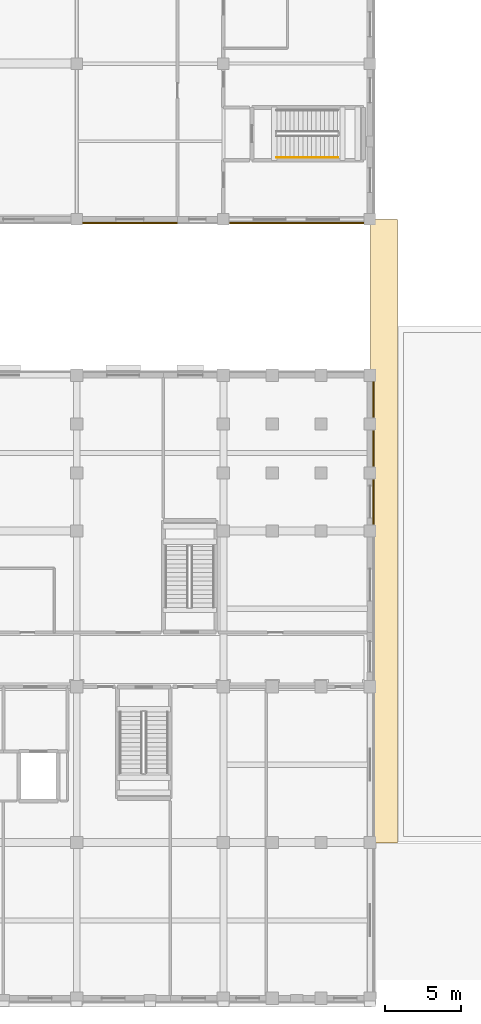
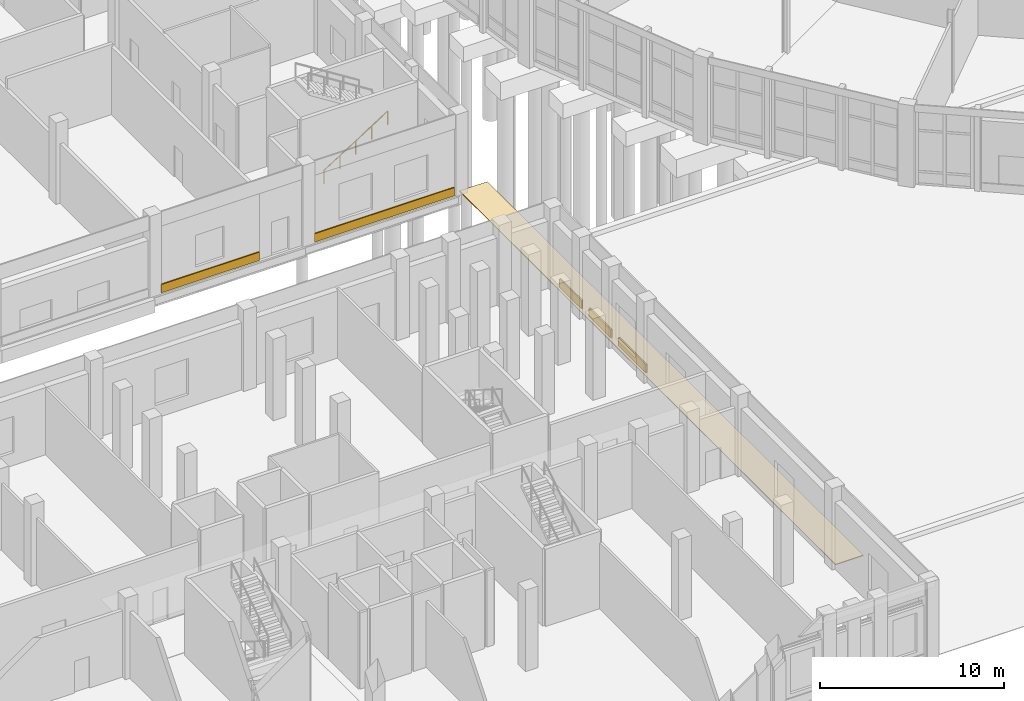
# One storey, part 122 of 137: 6 coverings, 1 railing.
"""IFC4 building model written with IfcOpenShell, lengths in metres."""

from ifc_helpers import new_model, si_unit, direction, frame, origin, origin_2d, place, context, subcontext, project, spatial, polyline, rectangle, circle, outline, extrude, material, layer, layer_set, type_object, element, save


model = new_model("IFC4")

# Units and contexts
model_context = context("Model", 3, precision=1e-05, world=origin(), true_north=direction((0.0, 1.0)))
body_context = subcontext(model_context, "Body", "Model", "MODEL_VIEW")
ifc_project = project(units=[si_unit("LENGTHUNIT", "METRE"), si_unit("AREAUNIT", "SQUARE_METRE"), si_unit("VOLUMEUNIT", "CUBIC_METRE"), si_unit("PLANEANGLEUNIT", "RADIAN"), si_unit("MASSUNIT", "GRAM", prefix="KILO")], contexts=[model_context])

# Site, building, storey
site_placement = place(None, origin())
site = spatial("IfcSite", under=ifc_project, at=site_placement, CompositionType="ELEMENT")
building_placement = place(site_placement, origin())
building = spatial("IfcBuilding", under=site, at=building_placement, Name="Vondelvale Polytechnic", CompositionType="ELEMENT")
storey_placement = place(building_placement, origin())
storey = spatial("IfcBuildingStorey", under=building, at=storey_placement, Name="L00", CompositionType="ELEMENT", Elevation=0.0)

# Coverings
ifc_material_1 = material(Name="Malmsbury bluestone ashlar stone masonry", Category="masonry")
ifc_layer_1 = layer(ifc_material_1, 0.080078125)
ifc_layer_set_1 = layer_set([ifc_layer_1], Name="COV-BLUESTONE-PLINTH")
covering_type_1 = type_object("IfcCoveringType", Name="COV-BLUESTONE-PLINTH", PredefinedType="CLADDING", material=ifc_layer_set_1)
covering_1_placement = place(storey_placement, frame((32.2880859375, 50.763916015625, 0.0), z_axis=(0.0, 0.0, 1.0), x_axis=(-1.0, 0.0, 0.0)))
element("IfcCovering", 1, at=covering_1_placement, inside=storey, type_object=covering_type_1, Name="L00 exterior corbelled masonry relief band", PredefinedType="CLADDING", context=body_context, shape_type="SweptSolid", body=[
    extrude(rectangle(XDim=6.1640625, YDim=0.080078125, at=origin_2d()), origin(), (0.0, 0.0, 1.0), 0.550048828125),
])
covering_2_placement = place(storey_placement, frame((43.199951171875, 50.763916015625, 0.0), z_axis=(0.0, 0.0, 1.0), x_axis=(-1.0, 0.0, 0.0)))
element("IfcCovering", 2, at=covering_2_placement, inside=storey, type_object=covering_type_1, Name="L00 exterior corbelled masonry relief band", PredefinedType="CLADDING", context=body_context, shape_type="SweptSolid", body=[
    extrude(rectangle(XDim=8.7880859375, YDim=0.080078125, at=origin_2d()), origin(), (0.0, 0.0, 1.0), 0.550048828125),
])
for number, where, z_axis, x_axis, name in (
    (3, (48.236083984375, 39.199951171875, 0.0), (0.0, 0.0, 1.0), (0.0, -1.0, 0.0), "L00 exterior corbelled masonry relief band"),
    (4, (48.236083984375, 36.0, 0.0), (0.0, 0.0, 1.0), (0.0, -1.0, 0.0), "L00 exterior corbelled masonry relief band"),
):
    element("IfcCovering", number, at=place(storey_placement, frame(where, z_axis=z_axis, x_axis=x_axis)), inside=storey, type_object=covering_type_1, Name=name, PredefinedType="CLADDING", context=body_context, shape_type="SweptSolid", body=[
        extrude(rectangle(XDim=2.337890625, YDim=0.080078125, at=origin_2d()), origin(), (0.0, 0.0, 1.0), 0.550048828125),
    ])
covering_3_placement = place(storey_placement, frame((48.236083984375, 32.5, 0.0), z_axis=(0.0, 0.0, 1.0), x_axis=(0.0, -1.0, 0.0)))
element("IfcCovering", 5, at=covering_3_placement, inside=storey, type_object=covering_type_1, Name="L00 exterior corbelled masonry relief band", PredefinedType="CLADDING", context=body_context, shape_type="SweptSolid", body=[
    extrude(rectangle(XDim=2.93798828125, YDim=0.080078125, at=origin_2d()), origin(), (0.0, 0.0, 1.0), 0.550048828125),
])
ifc_layer_2 = layer(ifc_material_1, 0.050048828125)
ifc_layer_set_2 = layer_set([ifc_layer_2], Name="COV-COURT-PAVING")
covering_type_2 = type_object("IfcCoveringType", Name="COV-COURT-PAVING", PredefinedType="USERDEFINED", material=ifc_layer_set_2)
covering_4_placement = place(storey_placement, frame((0.0, 0.0, -0.050048828125)))
element("IfcCovering", 6, at=covering_4_placement, inside=storey, type_object=covering_type_2, Name="Civic forecourt bluestone esplanade (WLK-W)", ObjectType="PAVING", PredefinedType="USERDEFINED", context=body_context, shape_type="SweptSolid", body=[
    extrude(outline(polyline([(48.050048828125, 10.179931640625), (49.800048828125, 10.179931640625), (49.800048828125, 51.0), (48.050048828125, 51.0), (48.050048828125, 10.179931640625)])), origin(), (0.0, 0.0, 1.0), 0.050048828125),
])

# Railing
ifc_material_2 = material(Name="Brushed architectural stainless and zinc-coated metal")
ifc_layer_3 = layer(ifc_material_2, 0.048095703125)
ifc_layer_set_3 = layer_set([ifc_layer_3], Name="RL-STAIR-HANDRAIL")
railing_type = type_object("IfcRailingType", Name="RL-STAIR-HANDRAIL", PredefinedType="HANDRAIL", material=ifc_layer_set_3)
railing_placement = place(storey_placement, frame((41.89990234375, 55.050048828125, 0.179931640625)))
element("IfcRailing", 7, at=railing_placement, inside=storey, type_object=railing_type, Name="L00 ST-01 stair handrail 1", PredefinedType="HANDRAIL", context=body_context, shape_type="SweptSolid", body=[
    extrude(circle(Radius=0.02392578125, at=origin_2d()), frame((0.0, 0.0, 0.8759765625), z_axis=(0.845486444383, 0.0, 0.533996884227), x_axis=(0.0, 1.0, 0.0)), (0.0, 0.0, 1.0), 4.71923828125),
    extrude(circle(Radius=0.02099609375, at=origin_2d()), origin(), (0.0, 0.0, 1.0), 0.851806640625),
    extrude(circle(Radius=0.02099609375, at=origin_2d()), frame((0.99755859375, 0.0, 0.6298828125)), (0.0, 0.0, 1.0), 0.851806640625),
    extrude(circle(Radius=0.02099609375, at=origin_2d()), frame((1.9951171875, 0.0, 1.260009765625)), (0.0, 0.0, 1.0), 0.851806640625),
    extrude(circle(Radius=0.02099609375, at=origin_2d()), frame((2.992431640625, 0.0, 1.89013671875)), (0.0, 0.0, 1.0), 0.851806640625),
    extrude(circle(Radius=0.02099609375, at=origin_2d()), frame((3.989990234375, 0.0, 2.52001953125)), (0.0, 0.0, 1.0), 0.851806640625),
])

save(model, "model.ifc")
